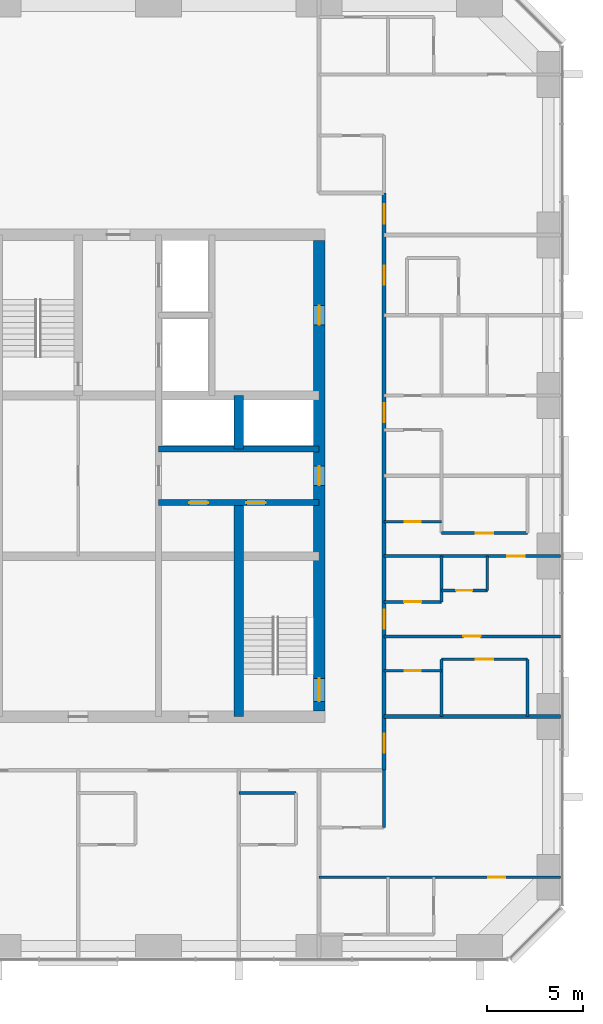
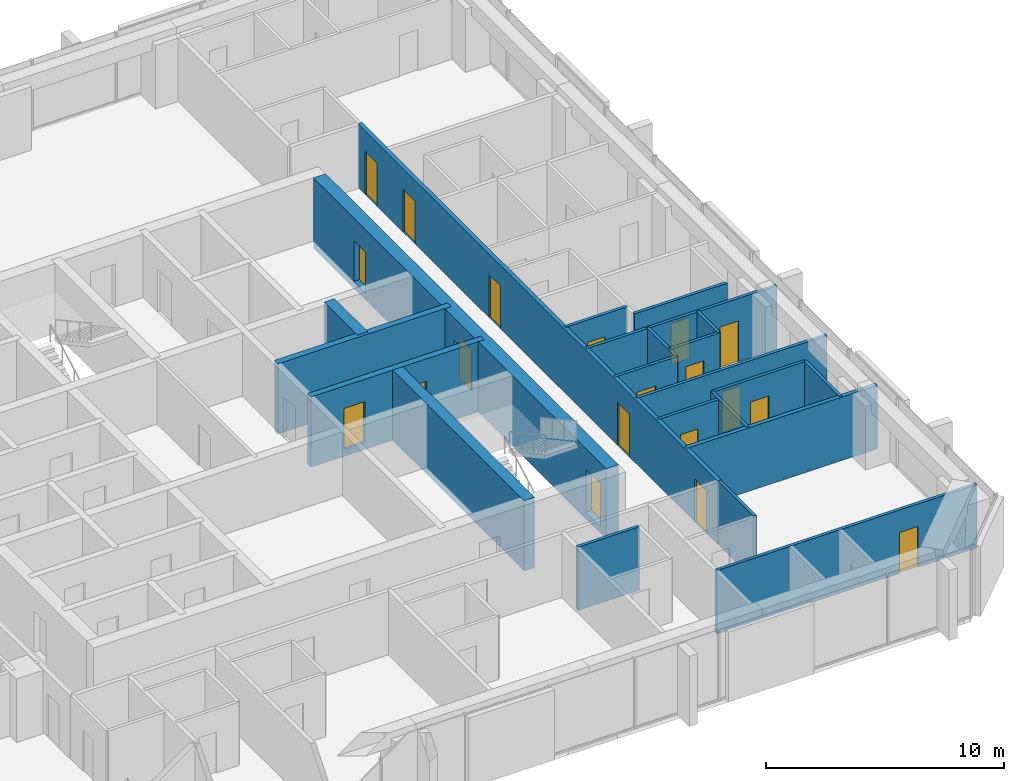
# One storey, part 10 of 13: 22 walls, 19 doors, 19 openings.
"""IFC4 building model written with IfcOpenShell, lengths in metres."""

from ifc_helpers import new_model, si_unit, direction, frame, frame_2d, origin, place, context, subcontext, project, spatial, rectangle, extrude, material, layer, layer_set, type_object, element, fill, save


model = new_model("IFC4")

# Units and contexts
model_context = context("Model", 3, precision=1e-05, world=origin(), true_north=direction((0.0, 1.0)))
body_context = subcontext(model_context, "Body", "Model", "MODEL_VIEW")
ifc_project = project(units=[si_unit("LENGTHUNIT", "METRE"), si_unit("AREAUNIT", "SQUARE_METRE"), si_unit("VOLUMEUNIT", "CUBIC_METRE"), si_unit("PLANEANGLEUNIT", "RADIAN"), si_unit("MASSUNIT", "GRAM", prefix="KILO")], contexts=[model_context])

# Site, building, storey
site_placement = place(None, origin())
site = spatial("IfcSite", under=ifc_project, at=site_placement, CompositionType="ELEMENT")
building_placement = place(site_placement, origin())
building = spatial("IfcBuilding", under=site, at=building_placement, Name="Dunama Terrace Hotel", CompositionType="ELEMENT")
storey_placement = place(building_placement, frame((0.0, 0.0, 195.0)))
storey = spatial("IfcBuildingStorey", under=building, at=storey_placement, Name="L50", CompositionType="ELEMENT", Elevation=195.0)

# Walls
ifc_material_1 = material(Name="Gypsum board partition", Category="masonry")
ifc_layer_1 = layer(ifc_material_1, 0.14990234375)
ifc_layer_set_1 = layer_set([ifc_layer_1], Name="Bathroom partition 150")
wall_type_1 = type_object("IfcWallType", Name="Bathroom partition 150", PredefinedType="PARTITIONING", material=ifc_layer_set_1)
wall_1_placement = place(storey_placement, frame((45.39990234375, 11.0, 0.0), z_axis=(0.0, 0.0, 1.0), x_axis=(0.0, 1.0, 0.0)))
element("IfcWall", 1, at=wall_1_placement, inside=storey, type_object=wall_type_1, Name="Bathroom partition 150 L50", PredefinedType="PARTITIONING", context=body_context, shape_type="SweptSolid", body=[
    extrude(rectangle(XDim=3.0, YDim=0.14990234375, at=frame_2d((1.5, 0.0))), origin(), (0.0, 0.0, 1.0), 3.25),
])
wall_2_placement = place(storey_placement, frame((50.800048828125, 23.39990234375, 0.0), z_axis=(0.0, 0.0, 1.0), x_axis=(0.0, 1.0, 0.0)))
element("IfcWall", 2, at=wall_2_placement, inside=storey, type_object=wall_type_1, Name="Bathroom partition 150 L50", PredefinedType="PARTITIONING", context=body_context, shape_type="SweptSolid", body=[
    extrude(rectangle(XDim=1.800048828125, YDim=0.14990234375, at=frame_2d((0.89990234375, 0.0))), origin(), (0.0, 0.0, 1.0), 3.25),
])
wall_3_placement = place(storey_placement, frame((37.800048828125, 12.800048828125, 0.0), z_axis=(0.0, 0.0, 1.0), x_axis=(1.0, 0.0, 0.0)))
element("IfcWall", 3, at=wall_3_placement, inside=storey, type_object=wall_type_1, Name="Bathroom partition 150 L50", PredefinedType="PARTITIONING", context=body_context, shape_type="SweptSolid", body=[
    extrude(rectangle(XDim=3.0, YDim=0.14990234375, at=frame_2d((1.5, 0.0))), origin(), (0.0, 0.0, 1.0), 3.25),
])

# Wall, opening, door
wall_4_placement = place(storey_placement, frame((45.39990234375, 19.199951171875, 0.0), z_axis=(0.0, 0.0, 1.0), x_axis=(1.0, 0.0, 0.0)))
wall_4 = element("IfcWall", 4, at=wall_4_placement, inside=storey, type_object=wall_type_1, Name="Bathroom partition 150 L50", PredefinedType="PARTITIONING", context=body_context, shape_type="SweptSolid", body=[
    extrude(rectangle(XDim=3.0, YDim=0.14990234375, at=frame_2d((1.5, 0.0))), origin(), (0.0, 0.0, 1.0), 3.25),
])
opening_1_placement = place(wall_4_placement, frame((1.074951171875, 0.0, 0.0)))
opening_1 = element("IfcOpeningElement", 5, at=opening_1_placement, cuts=wall_4, Name="Opening L48-50-024", PredefinedType="OPENING", context=body_context, shape_type="SweptSolid", body=[
    extrude(rectangle(XDim=0.85009765625, YDim=2.10009765625, at=frame_2d((0.425048828125, 1.050048828125))), frame((0.0, 0.0849609375, 0.0), z_axis=(0.0, -1.0, 0.0), x_axis=(1.0, 0.0, 0.0)), (0.0, 0.0, 1.0), 0.169921875),
])
ifc_material_2 = material(Name="Timber door with steel frame", Category="steel")
door_type_1 = type_object("IfcDoorType", Name="Bathroom door 850", OperationType="SINGLE_SWING_LEFT", PredefinedType="DOOR", material=ifc_material_2)
door_1_placement = place(opening_1_placement, frame((0.85009765625, 0.0, 0.0), z_axis=(0.0, 0.0, 1.0), x_axis=(-1.0, 0.0, 0.0)))
door_1 = element("IfcDoor", 6, at=door_1_placement, inside=storey, type_object=door_type_1, Name="Door to en-suite bathroom L48-50-024, type D2", OperationType="SINGLE_SWING_RIGHT", OverallHeight=2.10009765625, OverallWidth=0.85009765625, PredefinedType="DOOR", context=body_context, shape_type="SweptSolid", body=[
    extrude(rectangle(XDim=0.85009765625, YDim=2.10009765625, at=frame_2d((0.425048828125, 1.050048828125))), frame((0.0, 0.025146484375, 0.0), z_axis=(0.0, -1.0, 0.0), x_axis=(1.0, 0.0, 0.0)), (0.0, 0.0, 1.0), 0.050048828125),
])
fill(opening_1, door_1)

wall_5_placement = place(storey_placement, frame((48.39990234375, 23.39990234375, 0.0), z_axis=(0.0, 0.0, 1.0), x_axis=(1.0, 0.0, 0.0)))
wall_5 = element("IfcWall", 7, at=wall_5_placement, inside=storey, type_object=wall_type_1, Name="Bathroom partition 150 L50", PredefinedType="PARTITIONING", context=body_context, shape_type="SweptSolid", body=[
    extrude(rectangle(XDim=2.400146484375, YDim=0.14990234375, at=frame_2d((1.2001953125, 0.0))), origin(), (0.0, 0.0, 1.0), 3.25),
])
opening_2_placement = place(wall_5_placement, frame((0.77490234375, 0.0, 0.0)))
opening_2 = element("IfcOpeningElement", 8, at=opening_2_placement, cuts=wall_5, Name="Opening L48-50-019", PredefinedType="OPENING", context=body_context, shape_type="SweptSolid", body=[
    extrude(rectangle(XDim=0.85009765625, YDim=2.10009765625, at=frame_2d((0.425048828125, 1.050048828125))), frame((0.0, 0.0849609375, 0.0), z_axis=(0.0, -1.0, 0.0), x_axis=(1.0, 0.0, 0.0)), (0.0, 0.0, 1.0), 0.169921875),
])
door_2_placement = place(opening_2_placement, origin())
door_2 = element("IfcDoor", 9, at=door_2_placement, inside=storey, type_object=door_type_1, Name="Door to two-bedroom diplomatic residence guest wc L48-50-019, type D2", OperationType="SINGLE_SWING_LEFT", OverallHeight=2.10009765625, OverallWidth=0.85009765625, PredefinedType="DOOR", context=body_context, shape_type="SweptSolid", body=[
    extrude(rectangle(XDim=0.85009765625, YDim=2.10009765625, at=frame_2d((0.425048828125, 1.050048828125))), frame((0.0, 0.02490234375, 0.0), z_axis=(0.0, -1.0, 0.0), x_axis=(1.0, 0.0, 0.0)), (0.0, 0.0, 1.0), 0.050048828125),
])
fill(opening_2, door_2)

wall_6_placement = place(storey_placement, frame((45.39990234375, 27.0, 0.0), z_axis=(0.0, 0.0, 1.0), x_axis=(1.0, 0.0, 0.0)))
wall_6 = element("IfcWall", 10, at=wall_6_placement, inside=storey, type_object=wall_type_1, Name="Bathroom partition 150 L50", PredefinedType="PARTITIONING", context=body_context, shape_type="SweptSolid", body=[
    extrude(rectangle(XDim=3.0, YDim=0.14990234375, at=frame_2d((1.5, 0.0))), origin(), (0.0, 0.0, 1.0), 3.25),
])
opening_3_placement = place(wall_6_placement, frame((1.074951171875, 0.0, 0.0)))
opening_3 = element("IfcOpeningElement", 11, at=opening_3_placement, cuts=wall_6, Name="Opening L48-50-021", PredefinedType="OPENING", context=body_context, shape_type="SweptSolid", body=[
    extrude(rectangle(XDim=0.85009765625, YDim=2.10009765625, at=frame_2d((0.425048828125, 1.050048828125))), frame((0.0, 0.0849609375, 0.0), z_axis=(0.0, -1.0, 0.0), x_axis=(1.0, 0.0, 0.0)), (0.0, 0.0, 1.0), 0.169921875),
])
door_3_placement = place(opening_3_placement, origin())
door_3 = element("IfcDoor", 12, at=door_3_placement, inside=storey, type_object=door_type_1, Name="Door to en-suite bathroom L48-50-021, type D2", OperationType="SINGLE_SWING_LEFT", OverallHeight=2.10009765625, OverallWidth=0.85009765625, PredefinedType="DOOR", context=body_context, shape_type="SweptSolid", body=[
    extrude(rectangle(XDim=0.85009765625, YDim=2.10009765625, at=frame_2d((0.425048828125, 1.050048828125))), frame((0.0, 0.02490234375, 0.0), z_axis=(0.0, -1.0, 0.0), x_axis=(1.0, 0.0, 0.0)), (0.0, 0.0, 1.0), 0.050048828125),
])
fill(opening_3, door_3)

# Wall, openings, doors
ifc_material_3 = material(Name="Concrete C50/60", Category="concrete")
ifc_layer_2 = layer(ifc_material_3, 0.300048828125)
ifc_layer_set_2 = layer_set([ifc_layer_2], Name="Core inner wall 300")
wall_type_2 = type_object("IfcWallType", Name="Core inner wall 300", PredefinedType="SHEAR", material=ifc_layer_set_2)
wall_7_placement = place(storey_placement, frame((33.60009765625, 28.0, -0.35009765625), z_axis=(0.0, 0.0, 1.0), x_axis=(1.0, 0.0, 0.0)))
wall_7 = element("IfcWall", 13, at=wall_7_placement, inside=storey, type_object=wall_type_2, Name="Core inner wall 300 L50", PredefinedType="SHEAR", context=body_context, shape_type="SweptSolid", body=[
    extrude(rectangle(XDim=8.39990234375, YDim=0.300048828125, at=frame_2d((4.199951171875, 0.0))), origin(), (0.0, 0.0, 1.0), 3.60009765625),
])
opening_4_placement = place(wall_7_placement, frame((1.60009765625, 0.0, 0.35009765625)))
opening_4 = element("IfcOpeningElement", 14, at=opening_4_placement, cuts=wall_7, Name="Opening L48-50-069", PredefinedType="OPENING", context=body_context, shape_type="SweptSolid", body=[
    extrude(rectangle(XDim=1.0, YDim=2.10009765625, at=frame_2d((0.5, 1.050048828125))), frame((0.0, 0.159912109375, 0.0), z_axis=(0.0, -1.0, 0.0), x_axis=(1.0, 0.0, 0.0)), (0.0, 0.0, 1.0), 0.320068359375),
])
opening_5_placement = place(wall_7_placement, frame((4.60009765625, 0.0, 0.35009765625)))
opening_5 = element("IfcOpeningElement", 15, at=opening_5_placement, cuts=wall_7, Name="Opening L48-50-070", PredefinedType="OPENING", context=body_context, shape_type="SweptSolid", body=[
    extrude(rectangle(XDim=1.0, YDim=2.10009765625, at=frame_2d((0.5, 1.050048828125))), frame((0.0, 0.159912109375, 0.0), z_axis=(0.0, -1.0, 0.0), x_axis=(1.0, 0.0, 0.0)), (0.0, 0.0, 1.0), 0.320068359375),
])
ifc_material_4 = material(Name="Timber door with steel frame", Category="steel")
door_type_2 = type_object("IfcDoorType", Name="Service door 1000", OperationType="SINGLE_SWING_LEFT", PredefinedType="DOOR", material=ifc_material_4)
door_4_placement = place(opening_4_placement, frame((1.0, 0.0, 0.0), z_axis=(0.0, 0.0, 1.0), x_axis=(-1.0, 0.0, 0.0)))
door_4 = element("IfcDoor", 16, at=door_4_placement, inside=storey, type_object=door_type_2, Name="Door to service riser L48-50-069, type D7", OperationType="SINGLE_SWING_LEFT", OverallHeight=2.10009765625, OverallWidth=1.0, PredefinedType="DOOR", context=body_context, shape_type="SweptSolid", body=[
    extrude(rectangle(XDim=1.0, YDim=2.10009765625, at=frame_2d((0.5, 1.050048828125))), frame((0.0, 0.025146484375, 0.0), z_axis=(0.0, -1.0, 0.0), x_axis=(1.0, 0.0, 0.0)), (0.0, 0.0, 1.0), 0.050048828125),
])
fill(opening_4, door_4)
door_5_placement = place(opening_5_placement, frame((1.0, 0.0, 0.0), z_axis=(0.0, 0.0, 1.0), x_axis=(-1.0, 0.0, 0.0)))
door_5 = element("IfcDoor", 17, at=door_5_placement, inside=storey, type_object=door_type_2, Name="Door to cleaners store L48-50-070, type D7", OperationType="SINGLE_SWING_RIGHT", OverallHeight=2.10009765625, OverallWidth=1.0, PredefinedType="DOOR", context=body_context, shape_type="SweptSolid", body=[
    extrude(rectangle(XDim=1.0, YDim=2.10009765625, at=frame_2d((0.5, 1.050048828125))), frame((0.0, 0.025146484375, 0.0), z_axis=(0.0, -1.0, 0.0), x_axis=(1.0, 0.0, 0.0)), (0.0, 0.0, 1.0), 0.050048828125),
])
fill(opening_5, door_5)

# Walls
wall_8_placement = place(storey_placement, frame((33.60009765625, 30.800048828125, -0.35009765625), z_axis=(0.0, 0.0, 1.0), x_axis=(1.0, 0.0, 0.0)))
element("IfcWall", 18, at=wall_8_placement, inside=storey, type_object=wall_type_2, Name="Core inner wall 300 L50", PredefinedType="SHEAR", context=body_context, shape_type="SweptSolid", body=[
    extrude(rectangle(XDim=8.39990234375, YDim=0.300048828125, at=frame_2d((4.199951171875, 0.0))), origin(), (0.0, 0.0, 1.0), 3.60009765625),
])
ifc_material_5 = material(Name="Concrete C50/60", Category="concrete")
ifc_layer_3 = layer(ifc_material_5, 0.5)
ifc_layer_set_3 = layer_set([ifc_layer_3], Name="Core inner wall 500")
wall_type_3 = type_object("IfcWallType", Name="Core inner wall 500", PredefinedType="SHEAR", material=ifc_layer_set_3)
wall_9_placement = place(storey_placement, frame((37.800048828125, 16.800048828125, -0.35009765625), z_axis=(0.0, 0.0, 1.0), x_axis=(0.0, 1.0, 0.0)))
element("IfcWall", 19, at=wall_9_placement, inside=storey, type_object=wall_type_3, Name="Core inner wall 500 L50", PredefinedType="SHEAR", context=body_context, shape_type="SweptSolid", body=[
    extrude(rectangle(XDim=11.199951171875, YDim=0.5, at=frame_2d((5.60009765625, 0.0))), origin(), (0.0, 0.0, 1.0), 3.60009765625),
])
wall_10_placement = place(storey_placement, frame((37.800048828125, 30.800048828125, -0.35009765625), z_axis=(0.0, 0.0, 1.0), x_axis=(0.0, 1.0, 0.0)))
element("IfcWall", 20, at=wall_10_placement, inside=storey, type_object=wall_type_3, Name="Core inner wall 500 L50", PredefinedType="SHEAR", context=body_context, shape_type="SweptSolid", body=[
    extrude(rectangle(XDim=2.800048828125, YDim=0.5, at=frame_2d((1.39990234375, 0.0))), origin(), (0.0, 0.0, 1.0), 3.60009765625),
])

# Wall, openings, doors
ifc_material_6 = material(Name="Concrete C50/60", Category="concrete")
ifc_layer_4 = layer(ifc_material_6, 0.60009765625)
ifc_layer_set_4 = layer_set([ifc_layer_4], Name="Core wall 600")
wall_type_4 = type_object("IfcWallType", Name="Core wall 600", PredefinedType="SHEAR", material=ifc_layer_set_4)
wall_11_placement = place(storey_placement, frame((42.0, 17.10009765625, -0.35009765625), z_axis=(0.0, 0.0, 1.0), x_axis=(0.0, 1.0, 0.0)))
wall_11 = element("IfcWall", 21, at=wall_11_placement, inside=storey, type_object=wall_type_4, Name="Core wall east L50", PredefinedType="SHEAR", context=body_context, shape_type="SweptSolid", body=[
    extrude(rectangle(XDim=24.599853515625, YDim=0.60009765625, at=frame_2d((12.2998046875, 0.0))), origin(), (0.0, 0.0, 1.0), 3.60009765625),
])
opening_6_placement = place(wall_11_placement, frame((0.5, 0.0, 0.35009765625)))
opening_6 = element("IfcOpeningElement", 22, at=opening_6_placement, cuts=wall_11, Name="Opening L48-50-002", PredefinedType="OPENING", context=body_context, shape_type="SweptSolid", body=[
    extrude(rectangle(XDim=1.199951171875, YDim=2.199951171875, at=frame_2d((0.60009765625, 1.10009765625))), frame((0.0, 0.31005859375, 0.0), z_axis=(0.0, -1.0, 0.0), x_axis=(1.0, 0.0, 0.0)), (0.0, 0.0, 1.0), 0.6201171875),
])
opening_7_placement = place(wall_11_placement, frame((11.800048828125, 0.0, 0.35009765625)))
opening_7 = element("IfcOpeningElement", 23, at=opening_7_placement, cuts=wall_11, Name="Opening L48-50-071", PredefinedType="OPENING", context=body_context, shape_type="SweptSolid", body=[
    extrude(rectangle(XDim=1.0, YDim=2.10009765625, at=frame_2d((0.5, 1.050048828125))), frame((0.0, 0.31005859375, 0.0), z_axis=(0.0, -1.0, 0.0), x_axis=(1.0, 0.0, 0.0)), (0.0, 0.0, 1.0), 0.6201171875),
])
opening_8_placement = place(wall_11_placement, frame((20.199951171875, 0.0, 0.35009765625)))
opening_8 = element("IfcOpeningElement", 24, at=opening_8_placement, cuts=wall_11, Name="Opening L48-50-073", PredefinedType="OPENING", context=body_context, shape_type="SweptSolid", body=[
    extrude(rectangle(XDim=1.0, YDim=2.10009765625, at=frame_2d((0.5, 1.050048828125))), frame((0.0, 0.31005859375, 0.0), z_axis=(0.0, -1.0, 0.0), x_axis=(1.0, 0.0, 0.0)), (0.0, 0.0, 1.0), 0.6201171875),
])
door_6_placement = place(opening_7_placement, origin())
door_6 = element("IfcDoor", 25, at=door_6_placement, inside=storey, type_object=door_type_2, Name="Door to service lobby L48-50-071, type D7", OperationType="SINGLE_SWING_RIGHT", OverallHeight=2.10009765625, OverallWidth=1.0, PredefinedType="DOOR", context=body_context, shape_type="SweptSolid", body=[
    extrude(rectangle(XDim=1.0, YDim=2.10009765625, at=frame_2d((0.5, 1.050048828125))), frame((0.0, 0.02490234375, 0.0), z_axis=(0.0, -1.0, 0.0), x_axis=(1.0, 0.0, 0.0)), (0.0, 0.0, 1.0), 0.050048828125),
])
fill(opening_7, door_6)
door_7_placement = place(opening_8_placement, origin())
door_7 = element("IfcDoor", 26, at=door_7_placement, inside=storey, type_object=door_type_2, Name="Door to guest pantry L48-50-073, type D7", OperationType="SINGLE_SWING_LEFT", OverallHeight=2.10009765625, OverallWidth=1.0, PredefinedType="DOOR", context=body_context, shape_type="SweptSolid", body=[
    extrude(rectangle(XDim=1.0, YDim=2.10009765625, at=frame_2d((0.5, 1.050048828125))), frame((0.0, 0.02490234375, 0.0), z_axis=(0.0, -1.0, 0.0), x_axis=(1.0, 0.0, 0.0)), (0.0, 0.0, 1.0), 0.050048828125),
])
fill(opening_8, door_7)
ifc_material_7 = material(Name="Timber door with steel frame", Category="steel")
door_type_3 = type_object("IfcDoorType", Name="Stair door 1200", OperationType="SINGLE_SWING_LEFT", PredefinedType="DOOR", material=ifc_material_7)
door_8_placement = place(opening_6_placement, origin())
door_8 = element("IfcDoor", 27, at=door_8_placement, inside=storey, type_object=door_type_3, Name="Stair door ST2 L48-50-002, type D5", OperationType="SINGLE_SWING_LEFT", OverallHeight=2.199951171875, OverallWidth=1.199951171875, PredefinedType="DOOR", context=body_context, shape_type="SweptSolid", body=[
    extrude(rectangle(XDim=1.199951171875, YDim=2.199951171875, at=frame_2d((0.60009765625, 1.10009765625))), frame((0.0, 0.02490234375, 0.0), z_axis=(0.0, -1.0, 0.0), x_axis=(1.0, 0.0, 0.0)), (0.0, 0.0, 1.0), 0.050048828125),
])
fill(opening_6, door_8)

ifc_material_8 = material(Name="Concrete blockwork", Category="masonry")
ifc_layer_5 = layer(ifc_material_8, 0.199951171875)
ifc_layer_set_5 = layer_set([ifc_layer_5], Name="Corridor partition 200")
wall_type_5 = type_object("IfcWallType", Name="Corridor partition 200", PredefinedType="PARTITIONING", material=ifc_layer_set_5)
wall_12_placement = place(storey_placement, frame((45.39990234375, 44.199951171875, 0.0), z_axis=(0.0, 0.0, 1.0), x_axis=(0.0, -1.0, 0.0)))
wall_12 = element("IfcWall", 28, at=wall_12_placement, inside=storey, type_object=wall_type_5, Name="Corridor partition 200 L50", PredefinedType="PARTITIONING", context=body_context, shape_type="SweptSolid", body=[
    extrude(rectangle(XDim=30.199951171875, YDim=0.199951171875, at=frame_2d((15.10009765625, 0.0))), origin(), (0.0, 0.0, 1.0), 3.25),
])
opening_9_placement = place(wall_12_placement, frame((21.800048828125, 0.0, 0.0)))
opening_9 = element("IfcOpeningElement", 29, at=opening_9_placement, cuts=wall_12, Name="Opening L48-50-017", PredefinedType="OPENING", context=body_context, shape_type="SweptSolid", body=[
    extrude(rectangle(XDim=1.0, YDim=2.199951171875, at=frame_2d((0.5, 1.10009765625))), frame((0.0, 0.10986328125, 0.0), z_axis=(0.0, -1.0, 0.0), x_axis=(1.0, 0.0, 0.0)), (0.0, 0.0, 1.0), 0.219970703125),
])
opening_10_placement = place(wall_12_placement, frame((11.0, 0.0, 0.0)))
opening_10 = element("IfcOpeningElement", 30, at=opening_10_placement, cuts=wall_12, Name="Opening L48-50-026", PredefinedType="OPENING", context=body_context, shape_type="SweptSolid", body=[
    extrude(rectangle(XDim=1.0, YDim=2.199951171875, at=frame_2d((0.5, 1.10009765625))), frame((0.0, 0.10986328125, 0.0), z_axis=(0.0, -1.0, 0.0), x_axis=(1.0, 0.0, 0.0)), (0.0, 0.0, 1.0), 0.219970703125),
])
opening_11_placement = place(wall_12_placement, frame((3.800048828125, 0.0, 0.0)))
opening_11 = element("IfcOpeningElement", 31, at=opening_11_placement, cuts=wall_12, Name="Opening L48-50-031", PredefinedType="OPENING", context=body_context, shape_type="SweptSolid", body=[
    extrude(rectangle(XDim=1.0, YDim=2.199951171875, at=frame_2d((0.5, 1.10009765625))), frame((0.0, 0.10986328125, 0.0), z_axis=(0.0, -1.0, 0.0), x_axis=(1.0, 0.0, 0.0)), (0.0, 0.0, 1.0), 0.219970703125),
])
opening_12_placement = place(wall_12_placement, frame((28.300048828125, 0.0, 0.0)))
opening_12 = element("IfcOpeningElement", 32, at=opening_12_placement, cuts=wall_12, Name="Opening L48-50-044", PredefinedType="OPENING", context=body_context, shape_type="SweptSolid", body=[
    extrude(rectangle(XDim=1.0, YDim=2.199951171875, at=frame_2d((0.5, 1.10009765625))), frame((0.0, 0.10986328125, 0.0), z_axis=(0.0, -1.0, 0.0), x_axis=(1.0, 0.0, 0.0)), (0.0, 0.0, 1.0), 0.219970703125),
])
opening_13_placement = place(wall_12_placement, frame((0.60009765625, 0.0, 0.0)))
opening_13 = element("IfcOpeningElement", 33, at=opening_13_placement, cuts=wall_12, Name="Opening L48-50-049", PredefinedType="OPENING", context=body_context, shape_type="SweptSolid", body=[
    extrude(rectangle(XDim=1.0, YDim=2.199951171875, at=frame_2d((0.5, 1.10009765625))), frame((0.0, 0.10986328125, 0.0), z_axis=(0.0, -1.0, 0.0), x_axis=(1.0, 0.0, 0.0)), (0.0, 0.0, 1.0), 0.219970703125),
])
ifc_material_9 = material(Name="Timber door with steel frame", Category="steel")
door_type_4 = type_object("IfcDoorType", Name="Guest room door 1000", OperationType="SINGLE_SWING_LEFT", PredefinedType="DOOR", material=ifc_material_9)
door_9_placement = place(opening_9_placement, origin())
door_9 = element("IfcDoor", 34, at=door_9_placement, inside=storey, type_object=door_type_4, Name="Door to two-bedroom diplomatic residence living room L48-50-017, type D1", OperationType="SINGLE_SWING_LEFT", OverallHeight=2.199951171875, OverallWidth=1.0, PredefinedType="DOOR", context=body_context, shape_type="SweptSolid", body=[
    extrude(rectangle(XDim=1.0, YDim=2.199951171875, at=frame_2d((0.5, 1.10009765625))), frame((0.0, 0.02490234375, 0.0), z_axis=(0.0, -1.0, 0.0), x_axis=(1.0, 0.0, 0.0)), (0.0, 0.0, 1.0), 0.050048828125),
])
fill(opening_9, door_9)
door_10_placement = place(opening_10_placement, origin())
door_10 = element("IfcDoor", 35, at=door_10_placement, inside=storey, type_object=door_type_4, Name="Door to diplomatic residence living room L48-50-026, type D1", OperationType="SINGLE_SWING_LEFT", OverallHeight=2.199951171875, OverallWidth=1.0, PredefinedType="DOOR", context=body_context, shape_type="SweptSolid", body=[
    extrude(rectangle(XDim=1.0, YDim=2.199951171875, at=frame_2d((0.5, 1.10009765625))), frame((0.0, 0.02490234375, 0.0), z_axis=(0.0, -1.0, 0.0), x_axis=(1.0, 0.0, 0.0)), (0.0, 0.0, 1.0), 0.050048828125),
])
fill(opening_10, door_10)
door_11_placement = place(opening_11_placement, origin())
door_11 = element("IfcDoor", 36, at=door_11_placement, inside=storey, type_object=door_type_4, Name="Door to club room L48-50-031, type D1", OperationType="SINGLE_SWING_LEFT", OverallHeight=2.199951171875, OverallWidth=1.0, PredefinedType="DOOR", context=body_context, shape_type="SweptSolid", body=[
    extrude(rectangle(XDim=1.0, YDim=2.199951171875, at=frame_2d((0.5, 1.10009765625))), frame((0.0, 0.02490234375, 0.0), z_axis=(0.0, -1.0, 0.0), x_axis=(1.0, 0.0, 0.0)), (0.0, 0.0, 1.0), 0.050048828125),
])
fill(opening_11, door_11)
door_12_placement = place(opening_12_placement, origin())
door_12 = element("IfcDoor", 37, at=door_12_placement, inside=storey, type_object=door_type_4, Name="Door to corner suite living room L48-50-044, type D1", OperationType="SINGLE_SWING_LEFT", OverallHeight=2.199951171875, OverallWidth=1.0, PredefinedType="DOOR", context=body_context, shape_type="SweptSolid", body=[
    extrude(rectangle(XDim=1.0, YDim=2.199951171875, at=frame_2d((0.5, 1.10009765625))), frame((0.0, 0.02490234375, 0.0), z_axis=(0.0, -1.0, 0.0), x_axis=(1.0, 0.0, 0.0)), (0.0, 0.0, 1.0), 0.050048828125),
])
fill(opening_12, door_12)
door_13_placement = place(opening_13_placement, origin())
door_13 = element("IfcDoor", 38, at=door_13_placement, inside=storey, type_object=door_type_4, Name="Door to corner suite living room L48-50-049, type D1", OperationType="SINGLE_SWING_LEFT", OverallHeight=2.199951171875, OverallWidth=1.0, PredefinedType="DOOR", context=body_context, shape_type="SweptSolid", body=[
    extrude(rectangle(XDim=1.0, YDim=2.199951171875, at=frame_2d((0.5, 1.10009765625))), frame((0.0, 0.02490234375, 0.0), z_axis=(0.0, -1.0, 0.0), x_axis=(1.0, 0.0, 0.0)), (0.0, 0.0, 1.0), 0.050048828125),
])
fill(opening_13, door_13)

# Walls
ifc_material_10 = material(Name="Concrete blockwork", Category="masonry")
ifc_layer_6 = layer(ifc_material_10, 0.199951171875)
ifc_layer_set_6 = layer_set([ifc_layer_6], Name="Party wall 200")
wall_type_6 = type_object("IfcWallType", Name="Party wall 200", PredefinedType="PARTITIONING", material=ifc_layer_set_6)
wall_13_placement = place(storey_placement, frame((45.39990234375, 16.800048828125, 0.0), z_axis=(0.0, 0.0, 1.0), x_axis=(1.0, 0.0, 0.0)))
element("IfcWall", 39, at=wall_13_placement, inside=storey, type_object=wall_type_6, Name="Party wall 200 L50", PredefinedType="PARTITIONING", context=body_context, shape_type="SweptSolid", body=[
    extrude(rectangle(XDim=9.218017578125, YDim=0.199951171875, at=frame_2d((4.60888671875, 0.0))), origin(), (0.0, 0.0, 1.0), 3.25),
])
ifc_material_11 = material(Name="Gypsum board partition", Category="masonry")
ifc_layer_7 = layer(ifc_material_11, 0.14990234375)
ifc_layer_set_7 = layer_set([ifc_layer_7], Name="Room partition 150")
wall_type_7 = type_object("IfcWallType", Name="Room partition 150", PredefinedType="PARTITIONING", material=ifc_layer_set_7)
wall_14_placement = place(storey_placement, frame((48.39990234375, 16.800048828125, 0.0), z_axis=(0.0, 0.0, 1.0), x_axis=(0.0, 1.0, 0.0)))
element("IfcWall", 40, at=wall_14_placement, inside=storey, type_object=wall_type_7, Name="Room partition 150 L50", PredefinedType="PARTITIONING", context=body_context, shape_type="SweptSolid", body=[
    extrude(rectangle(XDim=3.0, YDim=0.14990234375, at=frame_2d((1.5, 0.0))), origin(), (0.0, 0.0, 1.0), 3.25),
])
wall_15_placement = place(storey_placement, frame((48.39990234375, 22.800048828125, 0.0), z_axis=(0.0, 0.0, 1.0), x_axis=(0.0, 1.0, 0.0)))
element("IfcWall", 41, at=wall_15_placement, inside=storey, type_object=wall_type_7, Name="Room partition 150 L50", PredefinedType="PARTITIONING", context=body_context, shape_type="SweptSolid", body=[
    extrude(rectangle(XDim=2.39990234375, YDim=0.14990234375, at=frame_2d((1.199951171875, 0.0))), origin(), (0.0, 0.0, 1.0), 3.25),
])
wall_16_placement = place(storey_placement, frame((52.89990234375, 16.800048828125, 0.0), z_axis=(0.0, 0.0, 1.0), x_axis=(0.0, 1.0, 0.0)))
element("IfcWall", 42, at=wall_16_placement, inside=storey, type_object=wall_type_7, Name="Room partition 150 L50", PredefinedType="PARTITIONING", context=body_context, shape_type="SweptSolid", body=[
    extrude(rectangle(XDim=3.0, YDim=0.14990234375, at=frame_2d((1.5, 0.0))), origin(), (0.0, 0.0, 1.0), 3.25),
])

# Wall, opening, door
wall_17_placement = place(storey_placement, frame((42.0, 8.39990234375, 0.0), z_axis=(0.0, 0.0, 1.0), x_axis=(1.0, 0.0, 0.0)))
wall_17 = element("IfcWall", 43, at=wall_17_placement, inside=storey, type_object=wall_type_7, Name="Room partition 150 L50", PredefinedType="PARTITIONING", context=body_context, shape_type="SweptSolid", body=[
    extrude(rectangle(XDim=12.617919921875, YDim=0.14990234375, at=frame_2d((6.30908203125, 0.0))), origin(), (0.0, 0.0, 1.0), 3.25),
])
opening_14_placement = place(wall_17_placement, frame((8.85009765625, 0.0, 0.0)))
opening_14 = element("IfcOpeningElement", 44, at=opening_14_placement, cuts=wall_17, Name="Opening L48-50-046", PredefinedType="OPENING", context=body_context, shape_type="SweptSolid", body=[
    extrude(rectangle(XDim=0.89990234375, YDim=2.10009765625, at=frame_2d((0.449951171875, 1.050048828125))), frame((0.0, 0.0849609375, 0.0), z_axis=(0.0, -1.0, 0.0), x_axis=(1.0, 0.0, 0.0)), (0.0, 0.0, 1.0), 0.169921875),
])
ifc_material_12 = material(Name="Timber door with steel frame", Category="steel")
door_type_5 = type_object("IfcDoorType", Name="Suite internal door 900", OperationType="SINGLE_SWING_LEFT", PredefinedType="DOOR", material=ifc_material_12)
door_14_placement = place(opening_14_placement, frame((0.89990234375, 0.0, 0.0), z_axis=(0.0, 0.0, 1.0), x_axis=(-1.0, 0.0, 0.0)))
door_14 = element("IfcDoor", 45, at=door_14_placement, inside=storey, type_object=door_type_5, Name="Door to corner suite bedroom L48-50-046, type D16", OperationType="SINGLE_SWING_LEFT", OverallHeight=2.10009765625, OverallWidth=0.89990234375, PredefinedType="DOOR", context=body_context, shape_type="SweptSolid", body=[
    extrude(rectangle(XDim=0.89990234375, YDim=2.10009765625, at=frame_2d((0.449951171875, 1.050048828125))), frame((0.0, 0.025146484375, 0.0), z_axis=(0.0, -1.0, 0.0), x_axis=(1.0, 0.0, 0.0)), (0.0, 0.0, 1.0), 0.050048828125),
])
fill(opening_14, door_14)

wall_18_placement = place(storey_placement, frame((48.39990234375, 19.800048828125, 0.0), z_axis=(0.0, 0.0, 1.0), x_axis=(1.0, 0.0, 0.0)))
wall_18 = element("IfcWall", 46, at=wall_18_placement, inside=storey, type_object=wall_type_7, Name="Room partition 150 L50", PredefinedType="PARTITIONING", context=body_context, shape_type="SweptSolid", body=[
    extrude(rectangle(XDim=4.5, YDim=0.14990234375, at=frame_2d((2.25, 0.0))), origin(), (0.0, 0.0, 1.0), 3.25),
])
opening_15_placement = place(wall_18_placement, frame((1.800048828125, 0.0, 0.0)))
opening_15 = element("IfcOpeningElement", 47, at=opening_15_placement, cuts=wall_18, Name="Opening L48-50-025", PredefinedType="OPENING", context=body_context, shape_type="SweptSolid", body=[
    extrude(rectangle(XDim=0.89990234375, YDim=2.10009765625, at=frame_2d((0.449951171875, 1.050048828125))), frame((0.0, 0.0849609375, 0.0), z_axis=(0.0, -1.0, 0.0), x_axis=(1.0, 0.0, 0.0)), (0.0, 0.0, 1.0), 0.169921875),
])
door_15_placement = place(opening_15_placement, frame((0.89990234375, 0.0, 0.0), z_axis=(0.0, 0.0, 1.0), x_axis=(-1.0, 0.0, 0.0)))
door_15 = element("IfcDoor", 48, at=door_15_placement, inside=storey, type_object=door_type_5, Name="Door to walk-in wardrobe L48-50-025, type D16", OperationType="SINGLE_SWING_RIGHT", OverallHeight=2.10009765625, OverallWidth=0.89990234375, PredefinedType="DOOR", context=body_context, shape_type="SweptSolid", body=[
    extrude(rectangle(XDim=0.89990234375, YDim=2.10009765625, at=frame_2d((0.449951171875, 1.050048828125))), frame((0.0, 0.025146484375, 0.0), z_axis=(0.0, -1.0, 0.0), x_axis=(1.0, 0.0, 0.0)), (0.0, 0.0, 1.0), 0.050048828125),
])
fill(opening_15, door_15)

wall_19_placement = place(storey_placement, frame((45.39990234375, 21.0, 0.0), z_axis=(0.0, 0.0, 1.0), x_axis=(1.0, 0.0, 0.0)))
wall_19 = element("IfcWall", 49, at=wall_19_placement, inside=storey, type_object=wall_type_7, Name="Room partition 150 L50", PredefinedType="PARTITIONING", context=body_context, shape_type="SweptSolid", body=[
    extrude(rectangle(XDim=9.218017578125, YDim=0.14990234375, at=frame_2d((4.60888671875, 0.0))), origin(), (0.0, 0.0, 1.0), 3.25),
])
opening_16_placement = place(wall_19_placement, frame((4.14990234375, 0.0, 0.0)))
opening_16 = element("IfcOpeningElement", 50, at=opening_16_placement, cuts=wall_19, Name="Opening L48-50-023", PredefinedType="OPENING", context=body_context, shape_type="SweptSolid", body=[
    extrude(rectangle(XDim=0.89990234375, YDim=2.10009765625, at=frame_2d((0.449951171875, 1.050048828125))), frame((0.0, 0.0849609375, 0.0), z_axis=(0.0, -1.0, 0.0), x_axis=(1.0, 0.0, 0.0)), (0.0, 0.0, 1.0), 0.169921875),
])
door_16_placement = place(opening_16_placement, frame((0.89990234375, 0.0, 0.0), z_axis=(0.0, 0.0, 1.0), x_axis=(-1.0, 0.0, 0.0)))
door_16 = element("IfcDoor", 51, at=door_16_placement, inside=storey, type_object=door_type_5, Name="Door to two-bedroom diplomatic residence second bedroom L48-50-023, type D16", OperationType="SINGLE_SWING_RIGHT", OverallHeight=2.10009765625, OverallWidth=0.89990234375, PredefinedType="DOOR", context=body_context, shape_type="SweptSolid", body=[
    extrude(rectangle(XDim=0.89990234375, YDim=2.10009765625, at=frame_2d((0.449951171875, 1.050048828125))), frame((0.0, 0.025146484375, 0.0), z_axis=(0.0, -1.0, 0.0), x_axis=(1.0, 0.0, 0.0)), (0.0, 0.0, 1.0), 0.050048828125),
])
fill(opening_16, door_16)

wall_20_placement = place(storey_placement, frame((45.39990234375, 22.800048828125, 0.0), z_axis=(0.0, 0.0, 1.0), x_axis=(1.0, 0.0, 0.0)))
wall_20 = element("IfcWall", 52, at=wall_20_placement, inside=storey, type_object=wall_type_7, Name="Room partition 150 L50", PredefinedType="PARTITIONING", context=body_context, shape_type="SweptSolid", body=[
    extrude(rectangle(XDim=3.0, YDim=0.14990234375, at=frame_2d((1.5, 0.0))), origin(), (0.0, 0.0, 1.0), 3.25),
])
opening_17_placement = place(wall_20_placement, frame((1.050048828125, 0.0, 0.0)))
opening_17 = element("IfcOpeningElement", 53, at=opening_17_placement, cuts=wall_20, Name="Opening L48-50-018", PredefinedType="OPENING", context=body_context, shape_type="SweptSolid", body=[
    extrude(rectangle(XDim=0.89990234375, YDim=2.10009765625, at=frame_2d((0.449951171875, 1.050048828125))), frame((0.0, 0.0849609375, 0.0), z_axis=(0.0, -1.0, 0.0), x_axis=(1.0, 0.0, 0.0)), (0.0, 0.0, 1.0), 0.169921875),
])
door_17_placement = place(opening_17_placement, origin())
door_17 = element("IfcDoor", 54, at=door_17_placement, inside=storey, type_object=door_type_5, Name="Door to two-bedroom diplomatic residence kitchen L48-50-018, type D16", OperationType="SINGLE_SWING_LEFT", OverallHeight=2.10009765625, OverallWidth=0.89990234375, PredefinedType="DOOR", context=body_context, shape_type="SweptSolid", body=[
    extrude(rectangle(XDim=0.89990234375, YDim=2.10009765625, at=frame_2d((0.449951171875, 1.050048828125))), frame((0.0, 0.02490234375, 0.0), z_axis=(0.0, -1.0, 0.0), x_axis=(1.0, 0.0, 0.0)), (0.0, 0.0, 1.0), 0.050048828125),
])
fill(opening_17, door_17)

wall_21_placement = place(storey_placement, frame((45.39990234375, 25.199951171875, 0.0), z_axis=(0.0, 0.0, 1.0), x_axis=(1.0, 0.0, 0.0)))
wall_21 = element("IfcWall", 55, at=wall_21_placement, inside=storey, type_object=wall_type_7, Name="Room partition 150 L50", PredefinedType="PARTITIONING", context=body_context, shape_type="SweptSolid", body=[
    extrude(rectangle(XDim=9.218017578125, YDim=0.14990234375, at=frame_2d((4.60888671875, 0.0))), origin(), (0.0, 0.0, 1.0), 3.25),
])
opening_18_placement = place(wall_21_placement, frame((6.449951171875, 0.0, 0.0)))
opening_18 = element("IfcOpeningElement", 56, at=opening_18_placement, cuts=wall_21, Name="Opening L48-50-020", PredefinedType="OPENING", context=body_context, shape_type="SweptSolid", body=[
    extrude(rectangle(XDim=0.89990234375, YDim=2.10009765625, at=frame_2d((0.449951171875, 1.050048828125))), frame((0.0, 0.0849609375, 0.0), z_axis=(0.0, -1.0, 0.0), x_axis=(1.0, 0.0, 0.0)), (0.0, 0.0, 1.0), 0.169921875),
])
door_18_placement = place(opening_18_placement, origin())
door_18 = element("IfcDoor", 57, at=door_18_placement, inside=storey, type_object=door_type_5, Name="Door to two-bedroom diplomatic residence bedroom L48-50-020, type D16", OperationType="SINGLE_SWING_RIGHT", OverallHeight=2.10009765625, OverallWidth=0.89990234375, PredefinedType="DOOR", context=body_context, shape_type="SweptSolid", body=[
    extrude(rectangle(XDim=0.89990234375, YDim=2.10009765625, at=frame_2d((0.449951171875, 1.050048828125))), frame((0.0, 0.02490234375, 0.0), z_axis=(0.0, -1.0, 0.0), x_axis=(1.0, 0.0, 0.0)), (0.0, 0.0, 1.0), 0.050048828125),
])
fill(opening_18, door_18)

wall_22_placement = place(storey_placement, frame((48.39990234375, 26.39990234375, 0.0), z_axis=(0.0, 0.0, 1.0), x_axis=(1.0, 0.0, 0.0)))
wall_22 = element("IfcWall", 58, at=wall_22_placement, inside=storey, type_object=wall_type_7, Name="Room partition 150 L50", PredefinedType="PARTITIONING", context=body_context, shape_type="SweptSolid", body=[
    extrude(rectangle(XDim=4.5, YDim=0.14990234375, at=frame_2d((2.25, 0.0))), origin(), (0.0, 0.0, 1.0), 3.25),
])
opening_19_placement = place(wall_22_placement, frame((1.800048828125, 0.0, 0.0)))
opening_19 = element("IfcOpeningElement", 59, at=opening_19_placement, cuts=wall_22, Name="Opening L48-50-022", PredefinedType="OPENING", context=body_context, shape_type="SweptSolid", body=[
    extrude(rectangle(XDim=0.89990234375, YDim=2.10009765625, at=frame_2d((0.449951171875, 1.050048828125))), frame((0.0, 0.0849609375, 0.0), z_axis=(0.0, -1.0, 0.0), x_axis=(1.0, 0.0, 0.0)), (0.0, 0.0, 1.0), 0.169921875),
])
door_19_placement = place(opening_19_placement, origin())
door_19 = element("IfcDoor", 60, at=door_19_placement, inside=storey, type_object=door_type_5, Name="Door to walk-in wardrobe L48-50-022, type D16", OperationType="SINGLE_SWING_LEFT", OverallHeight=2.10009765625, OverallWidth=0.89990234375, PredefinedType="DOOR", context=body_context, shape_type="SweptSolid", body=[
    extrude(rectangle(XDim=0.89990234375, YDim=2.10009765625, at=frame_2d((0.449951171875, 1.050048828125))), frame((0.0, 0.02490234375, 0.0), z_axis=(0.0, -1.0, 0.0), x_axis=(1.0, 0.0, 0.0)), (0.0, 0.0, 1.0), 0.050048828125),
])
fill(opening_19, door_19)

save(model, "model.ifc")
